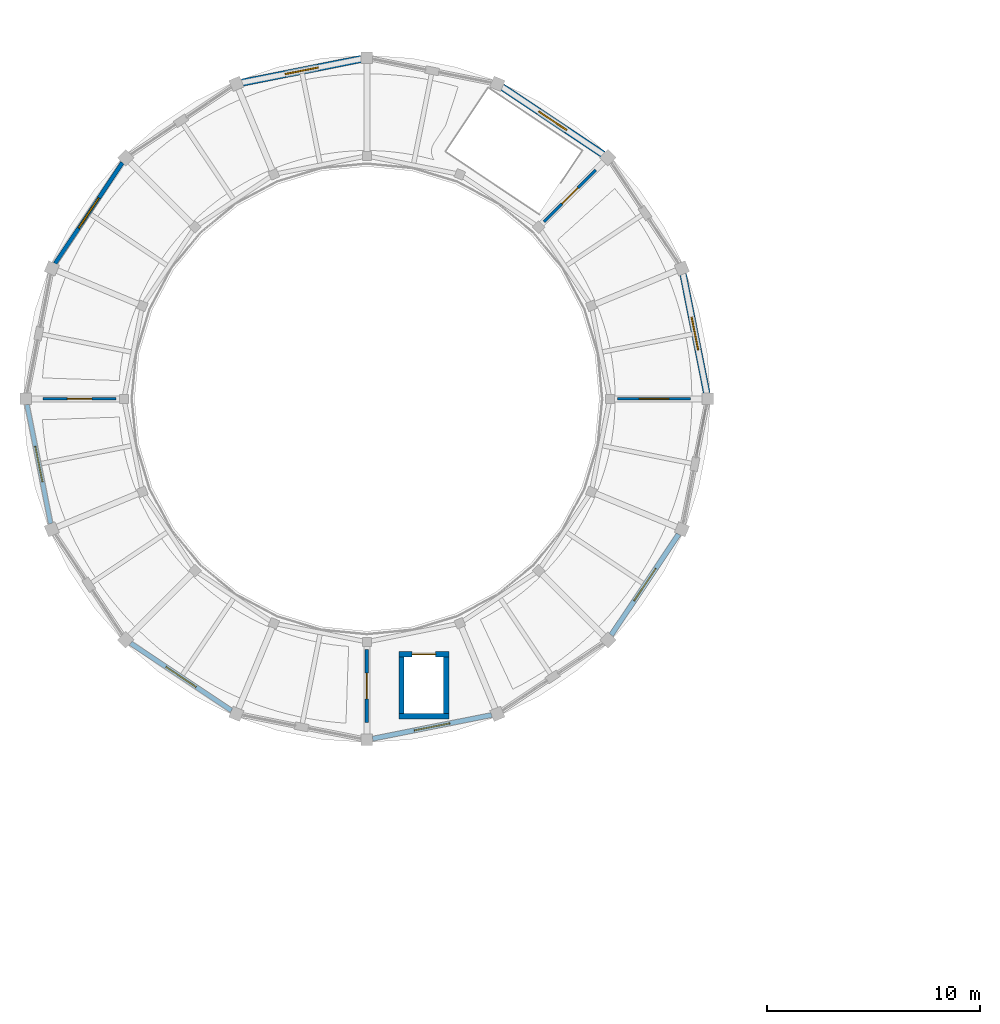
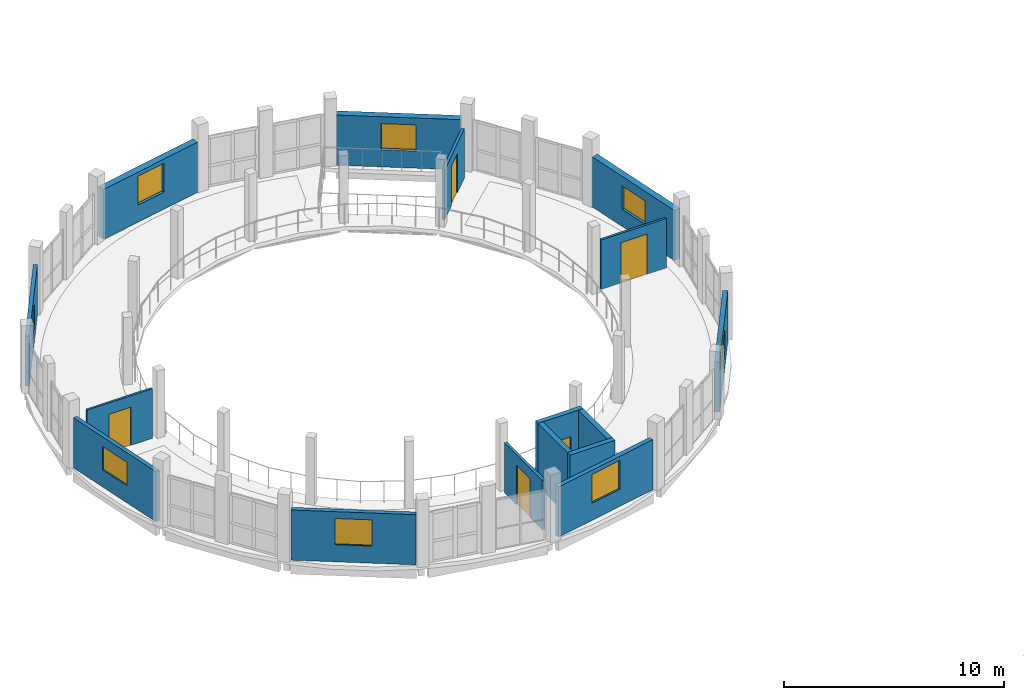
# One storey, part 61 of 77: 16 walls, 8 windows, 5 doors, 13 openings.
"""IFC4 building model written with IfcOpenShell, lengths in metres."""

from ifc_helpers import new_model, si_unit, direction, frame, frame_2d, origin, place, context, subcontext, project, spatial, rectangle, extrude, material, layer, layer_set, type_object, element, fill, save


model = new_model("IFC4")

# Units and contexts
model_context = context("Model", 3, precision=1e-05, world=origin(), true_north=direction((0.0, 1.0)))
body_context = subcontext(model_context, "Body", "Model", "MODEL_VIEW")
ifc_project = project(units=[si_unit("LENGTHUNIT", "METRE"), si_unit("AREAUNIT", "SQUARE_METRE"), si_unit("VOLUMEUNIT", "CUBIC_METRE"), si_unit("PLANEANGLEUNIT", "RADIAN"), si_unit("MASSUNIT", "GRAM", prefix="KILO")], contexts=[model_context])

# Site, building, storey
site_placement = place(None, origin())
site = spatial("IfcSite", under=ifc_project, at=site_placement, CompositionType="ELEMENT")
building_placement = place(site_placement, origin())
building = spatial("IfcBuilding", under=site, at=building_placement, Name="Caldaven Crescent School", CompositionType="ELEMENT")
storey_placement = place(building_placement, frame((0.0, 0.0, 4.419921875)))
storey = spatial("IfcBuildingStorey", under=building, at=storey_placement, Name="L01", CompositionType="ELEMENT", Elevation=4.419921875)

# Wall, opening, door
ifc_material_1 = material(Name="Concrete C35/45", Category="concrete")
ifc_layer_1 = layer(ifc_material_1, 0.300048828125)
ifc_layer_set_1 = layer_set([ifc_layer_1], Name="Concrete C35/45")
wall_type_1 = type_object("IfcWallType", Name="WAL-CW1", PredefinedType="SHEAR", material=ifc_layer_set_1)
wall_1_placement = place(storey_placement, frame((24.997802734375, 86.51318359375, 0.0), z_axis=(0.0, 0.0, 1.0), x_axis=(1.0, 0.0, 0.0)))
wall_1 = element("IfcWall", 1, at=wall_1_placement, inside=storey, type_object=wall_type_1, Name="CW-LF2-L01-N", PredefinedType="SHEAR", context=body_context, shape_type="SweptSolid", body=[
    extrude(rectangle(XDim=2.349853515625, YDim=0.25, at=frame_2d((1.1748046875, 0.0))), origin(), (0.0, 0.0, 1.0), 3.489990234375),
])
opening_1_placement = place(wall_1_placement, frame((0.625, 0.0, 0.0)))
opening_1 = element("IfcOpeningElement", 2, at=opening_1_placement, cuts=wall_1, Name="Opening LD-LF2-L01", PredefinedType="OPENING", context=body_context, shape_type="SweptSolid", body=[
    extrude(rectangle(XDim=1.10009765625, YDim=2.14990234375, at=frame_2d((0.550048828125, 1.074951171875))), frame((0.0, 0.135009765625, 0.0), z_axis=(0.0, -1.0, 0.0), x_axis=(1.0, 0.0, 0.0)), (0.0, 0.0, 1.0), 0.27001953125),
])
ifc_material_2 = material(Name="Brushed stainless-steel automatic telescopic landing door", Category="steel")
door_type_1 = type_object("IfcDoorType", Name="DOR-LD01", OperationType="DOUBLE_DOOR_SLIDING", PredefinedType="DOOR", material=ifc_material_2)
door_1_placement = place(opening_1_placement, origin())
door_1 = element("IfcDoor", 3, at=door_1_placement, inside=storey, type_object=door_type_1, Name="DOR-LD-LF2-L01", OperationType="DOUBLE_DOOR_SLIDING", OverallHeight=2.14990234375, OverallWidth=1.10009765625, PredefinedType="DOOR", context=body_context, shape_type="SweptSolid", body=[
    extrude(rectangle(XDim=1.10009765625, YDim=2.14990234375, at=frame_2d((0.550048828125, 1.074951171875))), frame((0.0, 0.02490234375, 0.0), z_axis=(0.0, -1.0, 0.0), x_axis=(1.0, 0.0, 0.0)), (0.0, 0.0, 1.0), 0.050048828125),
])
fill(opening_1, door_1)

# Walls
wall_2_placement = place(storey_placement, frame((24.997802734375, 83.61328125, 0.0), z_axis=(0.0, 0.0, 1.0), x_axis=(1.0, 0.0, 0.0)))
element("IfcWall", 4, at=wall_2_placement, inside=storey, type_object=wall_type_1, Name="CW-LF2-L01-S", PredefinedType="SHEAR", context=body_context, shape_type="SweptSolid", body=[
    extrude(rectangle(XDim=2.349853515625, YDim=0.25, at=frame_2d((1.1748046875, 0.0))), origin(), (0.0, 0.0, 1.0), 3.489990234375),
])
ifc_layer_2 = layer(ifc_material_1, 0.25)
ifc_layer_set_2 = layer_set([ifc_layer_2], Name="Concrete C35/45")
wall_type_2 = type_object("IfcWallType", Name="WAL-CW2", PredefinedType="SHEAR", material=ifc_layer_set_2)
for number, where, z_axis, x_axis, name in (
    (5, (25.122802734375, 83.73828125, 0.0), (0.0, 0.0, 1.0), (0.0, 1.0, 0.0), "CW-LF2-L01-W"),
    (6, (27.22265625, 83.73828125, 0.0), (0.0, 0.0, 1.0), (0.0, 1.0, 0.0), "CW-LF2-L01-E"),
):
    element("IfcWall", number, at=place(storey_placement, frame(where, z_axis=z_axis, x_axis=x_axis)), inside=storey, type_object=wall_type_2, Name=name, PredefinedType="SHEAR", context=body_context, shape_type="SweptSolid", body=[
        extrude(rectangle(XDim=2.64990234375, YDim=0.25, at=frame_2d((1.324951171875, 0.0))), origin(), (0.0, 0.0, 1.0), 3.489990234375),
    ])

# Wall, opening, window
ifc_material_3 = material(Name="Precast concrete C35/45", Category="concrete")
ifc_layer_3 = layer(ifc_material_3, 0.19189453125)
ifc_layer_set_3 = layer_set([ifc_layer_3], Name="Precast concrete C35/45")
wall_type_3 = type_object("IfcWallType", Name="WAL-EW01", PredefinedType="STANDARD", material=ifc_layer_set_3)
wall_3_placement = place(storey_placement, frame((12.03173828125, 109.58251953125, 0.0), z_axis=(0.0, 0.0, 1.0), x_axis=(-0.555561808177, -0.831475241541, 0.0)))
wall_3 = element("IfcWall", 7, at=wall_3_placement, inside=storey, type_object=wall_type_3, Name="EW-L01-028", PredefinedType="STANDARD", context=body_context, shape_type="SweptSolid", body=[
    extrude(rectangle(XDim=5.68701171875, YDim=0.19189453125, at=frame_2d((2.843505859375, 0.0))), origin(), (0.0, 0.0, 1.0), 2.780029296875),
])
opening_2_placement = place(wall_3_placement, frame((1.993408203125, 0.0, 0.949951171875)))
opening_2 = element("IfcOpeningElement", 8, at=opening_2_placement, cuts=wall_3, Name="Opening W21", PredefinedType="OPENING", context=body_context, shape_type="SweptSolid", body=[
    extrude(rectangle(XDim=1.699951171875, YDim=1.14990234375, at=frame_2d((0.85009765625, 0.574951171875))), frame((0.0, 0.10595703125, 0.0), z_axis=(0.0, -1.0, 0.0), x_axis=(1.0, 0.0, 0.0)), (0.0, 0.0, 1.0), 0.2119140625),
])
ifc_material_4 = material(Name="Thermally broken anodised aluminium AA 6063-T6 and low-E double glazing", Category="aluminium")
window_type_1 = type_object("IfcWindowType", Name="WIN-W21", PartitioningType="SINGLE_PANEL", PredefinedType="WINDOW", material=ifc_material_4)
window_1_placement = place(opening_2_placement, origin())
window_1 = element("IfcWindow", 9, at=window_1_placement, inside=storey, type_object=window_type_1, Name="WIN-L01-020-1", OverallHeight=1.14990234375, OverallWidth=1.699951171875, PartitioningType="SINGLE_PANEL", PredefinedType="WINDOW", context=body_context, shape_type="SweptSolid", body=[
    extrude(rectangle(XDim=1.699951171875, YDim=1.14990234375, at=frame_2d((0.85009765625, 0.574951171875))), frame((0.0, 0.030029296875, 0.0), z_axis=(0.0, -1.0, 0.0), x_axis=(1.0, 0.0, 0.0)), (0.0, 0.0, 1.0), 0.06005859375),
])
fill(opening_2, window_1)

ifc_layer_4 = layer(ifc_material_3, 0.2041015625)
ifc_layer_set_4 = layer_set([ifc_layer_4], Name="Precast concrete C35/45")
wall_type_4 = type_object("IfcWallType", Name="WAL-EW02", PredefinedType="STANDARD", material=ifc_layer_set_4)
wall_4_placement = place(storey_placement, frame((7.55419921875, 98.227294921875, 0.0), z_axis=(0.0, 0.0, 1.0), x_axis=(0.195075787902, -0.980788171306, 0.0)))
wall_4 = element("IfcWall", 10, at=wall_4_placement, inside=storey, type_object=wall_type_4, Name="EW-L01-029", PredefinedType="STANDARD", context=body_context, shape_type="SweptSolid", body=[
    extrude(rectangle(XDim=5.68701171875, YDim=0.2041015625, at=frame_2d((2.843505859375, 0.0))), origin(), (0.0, 0.0, 1.0), 2.780029296875),
])
opening_3_placement = place(wall_4_placement, frame((1.993408203125, 0.0, 0.949951171875)))
opening_3 = element("IfcOpeningElement", 11, at=opening_3_placement, cuts=wall_4, Name="Opening W22", PredefinedType="OPENING", context=body_context, shape_type="SweptSolid", body=[
    extrude(rectangle(XDim=1.699951171875, YDim=1.300048828125, at=frame_2d((0.85009765625, 0.64990234375))), frame((0.0, 0.112060546875, 0.0), z_axis=(0.0, -1.0, 0.0), x_axis=(1.0, 0.0, 0.0)), (0.0, 0.0, 1.0), 0.22412109375),
])
window_type_2 = type_object("IfcWindowType", Name="WIN-W22", PartitioningType="SINGLE_PANEL", PredefinedType="WINDOW", material=ifc_material_4)
window_2_placement = place(opening_3_placement, origin())
window_2 = element("IfcWindow", 12, at=window_2_placement, inside=storey, type_object=window_type_2, Name="WIN-L01-021-1", OverallHeight=1.300048828125, OverallWidth=1.699951171875, PartitioningType="SINGLE_PANEL", PredefinedType="WINDOW", context=body_context, shape_type="SweptSolid", body=[
    extrude(rectangle(XDim=1.699951171875, YDim=1.300048828125, at=frame_2d((0.85009765625, 0.64990234375))), frame((0.0, 0.030029296875, 0.0), z_axis=(0.0, -1.0, 0.0), x_axis=(1.0, 0.0, 0.0)), (0.0, 0.0, 1.0), 0.06005859375),
])
fill(opening_3, window_2)

ifc_layer_5 = layer(ifc_material_3, 0.216064453125)
ifc_layer_set_5 = layer_set([ifc_layer_5], Name="Precast concrete C35/45")
wall_type_5 = type_object("IfcWallType", Name="WAL-EW03", PredefinedType="STANDARD", material=ifc_layer_set_5)
wall_5_placement = place(storey_placement, frame((12.41748046875, 87.03173828125, 0.0), z_axis=(0.0, 0.0, 1.0), x_axis=(0.831475241541, -0.555561808177, 0.0)))
wall_5 = element("IfcWall", 13, at=wall_5_placement, inside=storey, type_object=wall_type_5, Name="EW-L01-030", PredefinedType="STANDARD", context=body_context, shape_type="SweptSolid", body=[
    extrude(rectangle(XDim=5.68701171875, YDim=0.216064453125, at=frame_2d((2.843505859375, 0.0))), origin(), (0.0, 0.0, 1.0), 2.780029296875),
])
opening_4_placement = place(wall_5_placement, frame((1.993408203125, 0.0, 0.949951171875)))
opening_4 = element("IfcOpeningElement", 14, at=opening_4_placement, cuts=wall_5, Name="Opening W23", PredefinedType="OPENING", context=body_context, shape_type="SweptSolid", body=[
    extrude(rectangle(XDim=1.699951171875, YDim=1.449951171875, at=frame_2d((0.85009765625, 0.72509765625))), frame((0.0, 0.117919921875, 0.0), z_axis=(0.0, -1.0, 0.0), x_axis=(1.0, 0.0, 0.0)), (0.0, 0.0, 1.0), 0.236083984375),
])
window_type_3 = type_object("IfcWindowType", Name="WIN-W23", PartitioningType="SINGLE_PANEL", PredefinedType="WINDOW", material=ifc_material_4)
window_3_placement = place(opening_4_placement, origin())
window_3 = element("IfcWindow", 15, at=window_3_placement, inside=storey, type_object=window_type_3, Name="WIN-L01-022-1", OverallHeight=1.449951171875, OverallWidth=1.699951171875, PartitioningType="SINGLE_PANEL", PredefinedType="WINDOW", context=body_context, shape_type="SweptSolid", body=[
    extrude(rectangle(XDim=1.699951171875, YDim=1.449951171875, at=frame_2d((0.85009765625, 0.72509765625))), frame((0.0, 0.030029296875, 0.0), z_axis=(0.0, -1.0, 0.0), x_axis=(1.0, 0.0, 0.0)), (0.0, 0.0, 1.0), 0.06005859375),
])
fill(opening_4, window_3)

ifc_layer_6 = layer(ifc_material_3, 0.22802734375)
ifc_layer_set_6 = layer_set([ifc_layer_6], Name="Precast concrete C35/45")
wall_type_6 = type_object("IfcWallType", Name="WAL-EW04", PredefinedType="STANDARD", material=ifc_layer_set_6)
wall_6_placement = place(storey_placement, frame((23.772705078125, 82.55419921875, 0.0), z_axis=(0.0, 0.0, 1.0), x_axis=(0.980788171306, 0.195075787902, 0.0)))
wall_6 = element("IfcWall", 16, at=wall_6_placement, inside=storey, type_object=wall_type_6, Name="EW-L01-031", PredefinedType="STANDARD", context=body_context, shape_type="SweptSolid", body=[
    extrude(rectangle(XDim=5.68701171875, YDim=0.22802734375, at=frame_2d((2.843505859375, 0.0))), origin(), (0.0, 0.0, 1.0), 2.780029296875),
])
opening_5_placement = place(wall_6_placement, frame((1.993408203125, 0.0, 0.949951171875)))
opening_5 = element("IfcOpeningElement", 17, at=opening_5_placement, cuts=wall_6, Name="Opening W24", PredefinedType="OPENING", context=body_context, shape_type="SweptSolid", body=[
    extrude(rectangle(XDim=1.699951171875, YDim=1.60009765625, at=frame_2d((0.85009765625, 0.800048828125))), frame((0.0, 0.1240234375, 0.0), z_axis=(0.0, -1.0, 0.0), x_axis=(1.0, 0.0, 0.0)), (0.0, 0.0, 1.0), 0.248046875),
])
window_type_4 = type_object("IfcWindowType", Name="WIN-W24", PartitioningType="SINGLE_PANEL", PredefinedType="WINDOW", material=ifc_material_4)
window_4_placement = place(opening_5_placement, origin())
window_4 = element("IfcWindow", 18, at=window_4_placement, inside=storey, type_object=window_type_4, Name="WIN-L01-023-1", OverallHeight=1.60009765625, OverallWidth=1.699951171875, PartitioningType="SINGLE_PANEL", PredefinedType="WINDOW", context=body_context, shape_type="SweptSolid", body=[
    extrude(rectangle(XDim=1.699951171875, YDim=1.60009765625, at=frame_2d((0.85009765625, 0.800048828125))), frame((0.0, 0.030029296875, 0.0), z_axis=(0.0, -1.0, 0.0), x_axis=(1.0, 0.0, 0.0)), (0.0, 0.0, 1.0), 0.06005859375),
])
fill(opening_5, window_4)

ifc_layer_7 = layer(ifc_material_3, 0.239990234375)
ifc_layer_set_7 = layer_set([ifc_layer_7], Name="Precast concrete C35/45")
wall_type_7 = type_object("IfcWallType", Name="WAL-EW05", PredefinedType="STANDARD", material=ifc_layer_set_7)
wall_7_placement = place(storey_placement, frame((34.96826171875, 87.41748046875, 0.0), z_axis=(0.0, 0.0, 1.0), x_axis=(0.555561808177, 0.831475241541, 0.0)))
wall_7 = element("IfcWall", 19, at=wall_7_placement, inside=storey, type_object=wall_type_7, Name="EW-L01-032", PredefinedType="STANDARD", context=body_context, shape_type="SweptSolid", body=[
    extrude(rectangle(XDim=5.68701171875, YDim=0.239990234375, at=frame_2d((2.843505859375, 0.0))), origin(), (0.0, 0.0, 1.0), 2.780029296875),
])
opening_6_placement = place(wall_7_placement, frame((1.933349609375, 0.0, 0.949951171875)))
opening_6 = element("IfcOpeningElement", 20, at=opening_6_placement, cuts=wall_7, Name="Opening W25", PredefinedType="OPENING", context=body_context, shape_type="SweptSolid", body=[
    extrude(rectangle(XDim=1.820068359375, YDim=1.14990234375, at=frame_2d((0.91015625, 0.574951171875))), frame((0.0, 0.1298828125, 0.0), z_axis=(0.0, -1.0, 0.0), x_axis=(1.0, 0.0, 0.0)), (0.0, 0.0, 1.0), 0.260009765625),
])
window_type_5 = type_object("IfcWindowType", Name="WIN-W25", PartitioningType="SINGLE_PANEL", PredefinedType="WINDOW", material=ifc_material_4)
window_5_placement = place(opening_6_placement, origin())
window_5 = element("IfcWindow", 21, at=window_5_placement, inside=storey, type_object=window_type_5, Name="WIN-L01-024-1", OverallHeight=1.14990234375, OverallWidth=1.820068359375, PartitioningType="SINGLE_PANEL", PredefinedType="WINDOW", context=body_context, shape_type="SweptSolid", body=[
    extrude(rectangle(XDim=1.820068359375, YDim=1.14990234375, at=frame_2d((0.91015625, 0.574951171875))), frame((0.0, 0.030029296875, 0.0), z_axis=(0.0, -1.0, 0.0), x_axis=(1.0, 0.0, 0.0)), (0.0, 0.0, 1.0), 0.06005859375),
])
fill(opening_6, window_5)

ifc_layer_8 = layer(ifc_material_3, 0.323974609375)
ifc_layer_set_8 = layer_set([ifc_layer_8], Name="Precast concrete C35/45")
wall_type_8 = type_object("IfcWallType", Name="WAL-EW12", PredefinedType="STANDARD", material=ifc_layer_set_8)
wall_8_placement = place(storey_placement, frame((39.44580078125, 98.772705078125, 0.0), z_axis=(0.0, 0.0, 1.0), x_axis=(-0.195075787902, 0.980788171306, 0.0)))
wall_8 = element("IfcWall", 22, at=wall_8_placement, inside=storey, type_object=wall_type_8, Name="EW-L01-025", PredefinedType="STANDARD", context=body_context, shape_type="SweptSolid", body=[
    extrude(rectangle(XDim=5.68701171875, YDim=0.323974609375, at=frame_2d((2.843505859375, 0.0))), origin(), (0.0, 0.0, 1.0), 2.780029296875),
])
opening_7_placement = place(wall_8_placement, frame((2.053466796875, 0.0, 0.949951171875)))
opening_7 = element("IfcOpeningElement", 23, at=opening_7_placement, cuts=wall_8, Name="Opening W18", PredefinedType="OPENING", context=body_context, shape_type="SweptSolid", body=[
    extrude(rectangle(XDim=1.580078125, YDim=1.300048828125, at=frame_2d((0.7900390625, 0.64990234375))), frame((0.0, 0.171875, 0.0), z_axis=(0.0, -1.0, 0.0), x_axis=(1.0, 0.0, 0.0)), (0.0, 0.0, 1.0), 0.343994140625),
])
window_type_6 = type_object("IfcWindowType", Name="WIN-W18", PartitioningType="SINGLE_PANEL", PredefinedType="WINDOW", material=ifc_material_4)
window_6_placement = place(opening_7_placement, origin())
window_6 = element("IfcWindow", 24, at=window_6_placement, inside=storey, type_object=window_type_6, Name="WIN-L01-017-1", OverallHeight=1.300048828125, OverallWidth=1.580078125, PartitioningType="SINGLE_PANEL", PredefinedType="WINDOW", context=body_context, shape_type="SweptSolid", body=[
    extrude(rectangle(XDim=1.580078125, YDim=1.300048828125, at=frame_2d((0.7900390625, 0.64990234375))), frame((0.0, 0.030029296875, 0.0), z_axis=(0.0, -1.0, 0.0), x_axis=(1.0, 0.0, 0.0)), (0.0, 0.0, 1.0), 0.06005859375),
])
fill(opening_7, window_6)

ifc_layer_9 = layer(ifc_material_3, 0.3359375)
ifc_layer_set_9 = layer_set([ifc_layer_9], Name="Precast concrete C35/45")
wall_type_9 = type_object("IfcWallType", Name="WAL-EW13", PredefinedType="STANDARD", material=ifc_layer_set_9)
wall_9_placement = place(storey_placement, frame((34.58251953125, 109.96826171875, 0.0), z_axis=(0.0, 0.0, 1.0), x_axis=(-0.831475241541, 0.555561808177, 0.0)))
wall_9 = element("IfcWall", 25, at=wall_9_placement, inside=storey, type_object=wall_type_9, Name="EW-L01-026", PredefinedType="STANDARD", context=body_context, shape_type="SweptSolid", body=[
    extrude(rectangle(XDim=5.68701171875, YDim=0.3359375, at=frame_2d((2.843505859375, 0.0))), origin(), (0.0, 0.0, 1.0), 2.780029296875),
])
opening_8_placement = place(wall_9_placement, frame((2.053466796875, 0.0, 0.949951171875)))
opening_8 = element("IfcOpeningElement", 26, at=opening_8_placement, cuts=wall_9, Name="Opening W19", PredefinedType="OPENING", context=body_context, shape_type="SweptSolid", body=[
    extrude(rectangle(XDim=1.580078125, YDim=1.449951171875, at=frame_2d((0.7900390625, 0.72509765625))), frame((0.0, 0.177978515625, 0.0), z_axis=(0.0, -1.0, 0.0), x_axis=(1.0, 0.0, 0.0)), (0.0, 0.0, 1.0), 0.35595703125),
])
window_type_7 = type_object("IfcWindowType", Name="WIN-W19", PartitioningType="SINGLE_PANEL", PredefinedType="WINDOW", material=ifc_material_4)
window_7_placement = place(opening_8_placement, origin())
window_7 = element("IfcWindow", 27, at=window_7_placement, inside=storey, type_object=window_type_7, Name="WIN-L01-018-1", OverallHeight=1.449951171875, OverallWidth=1.580078125, PartitioningType="SINGLE_PANEL", PredefinedType="WINDOW", context=body_context, shape_type="SweptSolid", body=[
    extrude(rectangle(XDim=1.580078125, YDim=1.449951171875, at=frame_2d((0.7900390625, 0.72509765625))), frame((0.0, 0.030029296875, 0.0), z_axis=(0.0, -1.0, 0.0), x_axis=(1.0, 0.0, 0.0)), (0.0, 0.0, 1.0), 0.06005859375),
])
fill(opening_8, window_7)

ifc_layer_10 = layer(ifc_material_3, 0.347900390625)
ifc_layer_set_10 = layer_set([ifc_layer_10], Name="Precast concrete C35/45")
wall_type_10 = type_object("IfcWallType", Name="WAL-EW14", PredefinedType="STANDARD", material=ifc_layer_set_10)
wall_10_placement = place(storey_placement, frame((23.227294921875, 114.44580078125, 0.0), z_axis=(0.0, 0.0, 1.0), x_axis=(-0.980788171306, -0.195075787902, 0.0)))
wall_10 = element("IfcWall", 28, at=wall_10_placement, inside=storey, type_object=wall_type_10, Name="EW-L01-027", PredefinedType="STANDARD", context=body_context, shape_type="SweptSolid", body=[
    extrude(rectangle(XDim=5.68701171875, YDim=0.347900390625, at=frame_2d((2.843505859375, 0.0))), origin(), (0.0, 0.0, 1.0), 2.780029296875),
])
opening_9_placement = place(wall_10_placement, frame((2.053466796875, 0.0, 0.949951171875)))
opening_9 = element("IfcOpeningElement", 29, at=opening_9_placement, cuts=wall_10, Name="Opening W20", PredefinedType="OPENING", context=body_context, shape_type="SweptSolid", body=[
    extrude(rectangle(XDim=1.580078125, YDim=1.60009765625, at=frame_2d((0.7900390625, 0.800048828125))), frame((0.0, 0.183837890625, 0.0), z_axis=(0.0, -1.0, 0.0), x_axis=(1.0, 0.0, 0.0)), (0.0, 0.0, 1.0), 0.367919921875),
])
window_type_8 = type_object("IfcWindowType", Name="WIN-W20", PartitioningType="SINGLE_PANEL", PredefinedType="WINDOW", material=ifc_material_4)
window_8_placement = place(opening_9_placement, origin())
window_8 = element("IfcWindow", 30, at=window_8_placement, inside=storey, type_object=window_type_8, Name="WIN-L01-019-1", OverallHeight=1.60009765625, OverallWidth=1.580078125, PartitioningType="SINGLE_PANEL", PredefinedType="WINDOW", context=body_context, shape_type="SweptSolid", body=[
    extrude(rectangle(XDim=1.580078125, YDim=1.60009765625, at=frame_2d((0.7900390625, 0.800048828125))), frame((0.0, 0.030029296875, 0.0), z_axis=(0.0, -1.0, 0.0), x_axis=(1.0, 0.0, 0.0)), (0.0, 0.0, 1.0), 0.06005859375),
])
fill(opening_9, window_8)

# Wall, opening, door
ifc_material_5 = material(Name="Acoustic double-layer gypsum partition on galvanised steel studs", Category="steel")
ifc_layer_11 = layer(ifc_material_5, 0.110107421875)
ifc_layer_set_11 = layer_set([ifc_layer_11], Name="Acoustic double-layer gypsum partition on galvanised steel studs")
wall_type_11 = type_object("IfcWallType", Name="WAL-PT05", PredefinedType="PARTITIONING", material=ifc_layer_set_11)
wall_11_placement = place(storey_placement, frame((11.739990234375, 98.5, 0.0), z_axis=(0.0, 0.0, 1.0), x_axis=(-1.0, 0.0, 0.0)))
wall_11 = element("IfcWall", 31, at=wall_11_placement, inside=storey, type_object=wall_type_11, Name="IW-L01-0052", PredefinedType="PARTITIONING", context=body_context, shape_type="SweptSolid", body=[
    extrude(rectangle(XDim=3.429931640625, YDim=0.110107421875, at=frame_2d((1.71484375, 0.0))), origin(), (0.0, 0.0, 1.0), 2.75),
])
opening_10_placement = place(wall_11_placement, frame((1.139892578125, 0.0, 0.0)))
opening_10 = element("IfcOpeningElement", 32, at=opening_10_placement, cuts=wall_11, Name="Opening D-L01-I037", PredefinedType="OPENING", context=body_context, shape_type="SweptSolid", body=[
    extrude(rectangle(XDim=1.14990234375, YDim=2.1201171875, at=frame_2d((0.574951171875, 1.06005859375))), frame((0.0, 0.06494140625, 0.0), z_axis=(0.0, -1.0, 0.0), x_axis=(1.0, 0.0, 0.0)), (0.0, 0.0, 1.0), 0.130126953125),
])
ifc_material_6 = material(Name="Solid-core Pino Radiata acoustic timber leaf in steel frame", Category="steel")
door_type_2 = type_object("IfcDoorType", Name="DOR-ID30", OperationType="NOTDEFINED", PredefinedType="DOOR", material=ifc_material_6)
door_2_placement = place(opening_10_placement, frame((1.14990234375, 0.0, 0.0), z_axis=(0.0, 0.0, 1.0), x_axis=(-1.0, 0.0, 0.0)))
door_2 = element("IfcDoor", 33, at=door_2_placement, inside=storey, type_object=door_type_2, Name="DOR-INT-L01-0037", OperationType="SINGLE_SWING_RIGHT", OverallHeight=2.1201171875, OverallWidth=1.14990234375, PredefinedType="DOOR", context=body_context, shape_type="SweptSolid", body=[
    extrude(rectangle(XDim=1.14990234375, YDim=2.1201171875, at=frame_2d((0.574951171875, 1.06005859375))), frame((0.0, 0.02490234375, 0.0), z_axis=(0.0, -1.0, 0.0), x_axis=(1.0, 0.0, 0.0)), (0.0, 0.0, 1.0), 0.050048828125),
])
fill(opening_10, door_2)

ifc_layer_12 = layer(ifc_material_5, 0.115966796875)
ifc_layer_set_12 = layer_set([ifc_layer_12], Name="Acoustic double-layer gypsum partition on galvanised steel studs")
wall_type_12 = type_object("IfcWallType", Name="WAL-PT06", PredefinedType="PARTITIONING", material=ifc_layer_set_12)
wall_12_placement = place(storey_placement, frame((35.260009765625, 98.5, 0.0), z_axis=(0.0, 0.0, 1.0), x_axis=(1.0, 0.0, 0.0)))
wall_12 = element("IfcWall", 34, at=wall_12_placement, inside=storey, type_object=wall_type_12, Name="IW-L01-0037", PredefinedType="PARTITIONING", context=body_context, shape_type="SweptSolid", body=[
    extrude(rectangle(XDim=3.429931640625, YDim=0.115966796875, at=frame_2d((1.71484375, 0.0))), origin(), (0.0, 0.0, 1.0), 2.75),
])
opening_11_placement = place(wall_12_placement, frame((1.02490234375, 0.0, 0.0)))
opening_11 = element("IfcOpeningElement", 35, at=opening_11_placement, cuts=wall_12, Name="Opening D-L01-I027", PredefinedType="OPENING", context=body_context, shape_type="SweptSolid", body=[
    extrude(rectangle(XDim=1.3798828125, YDim=2.239990234375, at=frame_2d((0.68994140625, 1.1201171875))), frame((0.0, 0.06787109375, 0.0), z_axis=(0.0, -1.0, 0.0), x_axis=(1.0, 0.0, 0.0)), (0.0, 0.0, 1.0), 0.135986328125),
])
door_type_3 = type_object("IfcDoorType", Name="DOR-ID48", OperationType="NOTDEFINED", PredefinedType="DOOR", material=ifc_material_6)
door_3_placement = place(opening_11_placement, frame((1.3798828125, 0.0, 0.0), z_axis=(0.0, 0.0, 1.0), x_axis=(-1.0, 0.0, 0.0)))
door_3 = element("IfcDoor", 36, at=door_3_placement, inside=storey, type_object=door_type_3, Name="DOR-INT-L01-0027", OperationType="SINGLE_SWING_RIGHT", OverallHeight=2.239990234375, OverallWidth=1.3798828125, PredefinedType="DOOR", context=body_context, shape_type="SweptSolid", body=[
    extrude(rectangle(XDim=1.3798828125, YDim=2.239990234375, at=frame_2d((0.68994140625, 1.1201171875))), frame((0.0, 0.02490234375, 0.0), z_axis=(0.0, -1.0, 0.0), x_axis=(1.0, 0.0, 0.0)), (0.0, 0.0, 1.0), 0.050048828125),
])
fill(opening_11, door_3)

ifc_layer_13 = layer(ifc_material_5, 0.139892578125)
ifc_layer_set_13 = layer_set([ifc_layer_13], Name="Acoustic double-layer gypsum partition on galvanised steel studs")
wall_type_13 = type_object("IfcWallType", Name="WAL-PT10", PredefinedType="PARTITIONING", material=ifc_layer_set_13)
wall_13_placement = place(storey_placement, frame((31.815673828125, 106.815673828125, 0.0), z_axis=(0.0, 0.0, 1.0), x_axis=(0.707106781187, 0.707106781187, 0.0)))
wall_13 = element("IfcWall", 37, at=wall_13_placement, inside=storey, type_object=wall_type_13, Name="IW-L01-0041", PredefinedType="PARTITIONING", context=body_context, shape_type="SweptSolid", body=[
    extrude(rectangle(XDim=3.429931640625, YDim=0.139892578125, at=frame_2d((1.71484375, 0.0))), origin(), (0.0, 0.0, 1.0), 2.75),
])
opening_12_placement = place(wall_13_placement, frame((1.18505859375, 0.0, 0.0)))
opening_12 = element("IfcOpeningElement", 38, at=opening_12_placement, cuts=wall_13, Name="Opening D-L01-I030", PredefinedType="OPENING", context=body_context, shape_type="SweptSolid", body=[
    extrude(rectangle(XDim=1.06005859375, YDim=2.179931640625, at=frame_2d((0.530029296875, 1.08984375))), frame((0.0, 0.079833984375, 0.0), z_axis=(0.0, -1.0, 0.0), x_axis=(1.0, 0.0, 0.0)), (0.0, 0.0, 1.0), 0.159912109375),
])
door_type_4 = type_object("IfcDoorType", Name="DOR-ID23", OperationType="NOTDEFINED", PredefinedType="DOOR", material=ifc_material_6)
door_4_placement = place(opening_12_placement, origin())
door_4 = element("IfcDoor", 39, at=door_4_placement, inside=storey, type_object=door_type_4, Name="DOR-INT-L01-0030", OperationType="SINGLE_SWING_LEFT", OverallHeight=2.179931640625, OverallWidth=1.06005859375, PredefinedType="DOOR", context=body_context, shape_type="SweptSolid", body=[
    extrude(rectangle(XDim=1.06005859375, YDim=2.179931640625, at=frame_2d((0.530029296875, 1.08984375))), frame((0.0, 0.02490234375, 0.0), z_axis=(0.0, -1.0, 0.0), x_axis=(1.0, 0.0, 0.0)), (0.0, 0.0, 1.0), 0.050048828125),
])
fill(opening_12, door_4)

ifc_layer_14 = layer(ifc_material_5, 0.152099609375)
ifc_layer_set_14 = layer_set([ifc_layer_14], Name="Acoustic double-layer gypsum partition on galvanised steel studs")
wall_type_14 = type_object("IfcWallType", Name="WAL-PT12", PredefinedType="PARTITIONING", material=ifc_layer_set_14)
wall_14_placement = place(storey_placement, frame((23.5, 86.739990234375, 0.0), z_axis=(0.0, 0.0, 1.0), x_axis=(0.0, -1.0, 0.0)))
wall_14 = element("IfcWall", 40, at=wall_14_placement, inside=storey, type_object=wall_type_14, Name="IW-L01-0059", PredefinedType="PARTITIONING", context=body_context, shape_type="SweptSolid", body=[
    extrude(rectangle(XDim=3.429931640625, YDim=0.152099609375, at=frame_2d((1.71484375, 0.0))), origin(), (0.0, 0.0, 1.0), 2.75),
])
opening_13_placement = place(wall_14_placement, frame((1.114990234375, 0.0, 0.0)))
opening_13 = element("IfcOpeningElement", 41, at=opening_13_placement, cuts=wall_14, Name="Opening D-L01-I042", PredefinedType="OPENING", context=body_context, shape_type="SweptSolid", body=[
    extrude(rectangle(XDim=1.199951171875, YDim=2.179931640625, at=frame_2d((0.60009765625, 1.08984375))), frame((0.0, 0.0859375, 0.0), z_axis=(0.0, -1.0, 0.0), x_axis=(1.0, 0.0, 0.0)), (0.0, 0.0, 1.0), 0.172119140625),
])
door_type_5 = type_object("IfcDoorType", Name="DOR-ID35", OperationType="NOTDEFINED", PredefinedType="DOOR", material=ifc_material_6)
door_5_placement = place(opening_13_placement, origin())
door_5 = element("IfcDoor", 42, at=door_5_placement, inside=storey, type_object=door_type_5, Name="DOR-INT-L01-0042", OperationType="SINGLE_SWING_LEFT", OverallHeight=2.179931640625, OverallWidth=1.199951171875, PredefinedType="DOOR", context=body_context, shape_type="SweptSolid", body=[
    extrude(rectangle(XDim=1.199951171875, YDim=2.179931640625, at=frame_2d((0.60009765625, 1.08984375))), frame((0.0, 0.02490234375, 0.0), z_axis=(0.0, -1.0, 0.0), x_axis=(1.0, 0.0, 0.0)), (0.0, 0.0, 1.0), 0.050048828125),
])
fill(opening_13, door_5)

save(model, "model.ifc")
